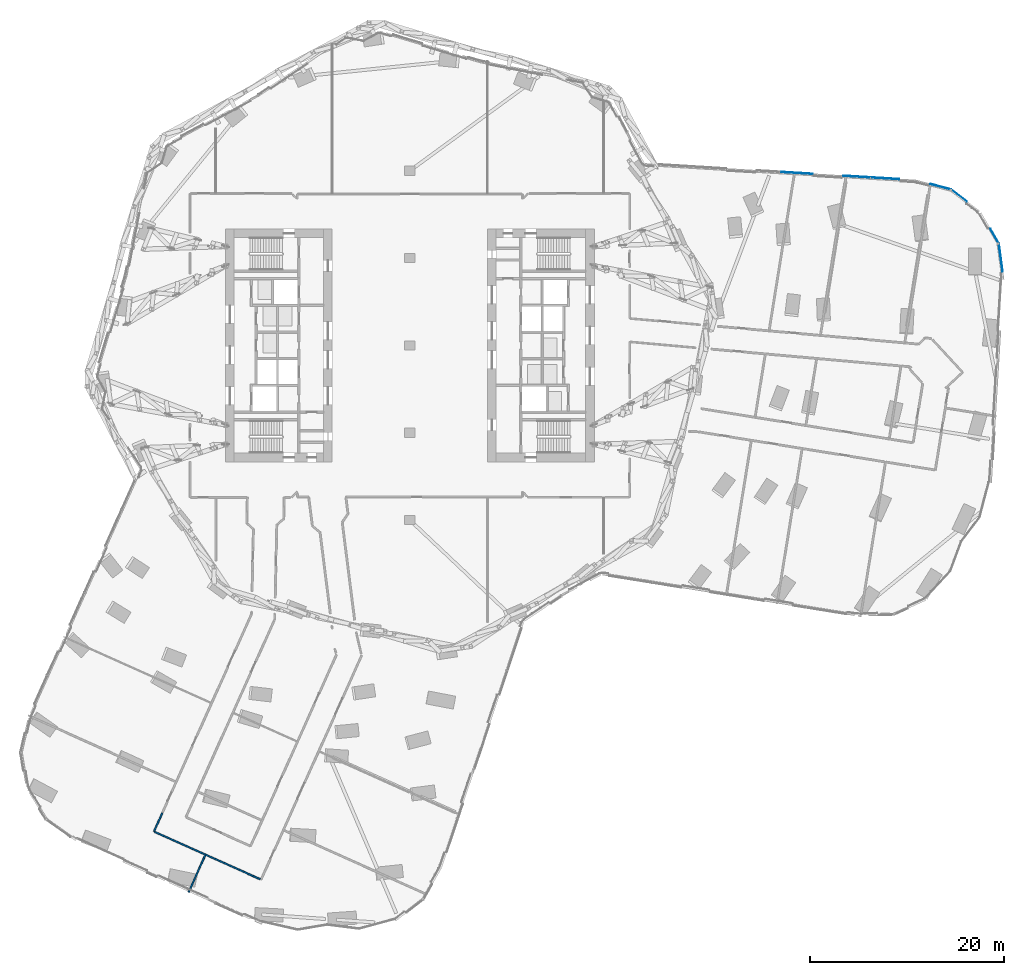
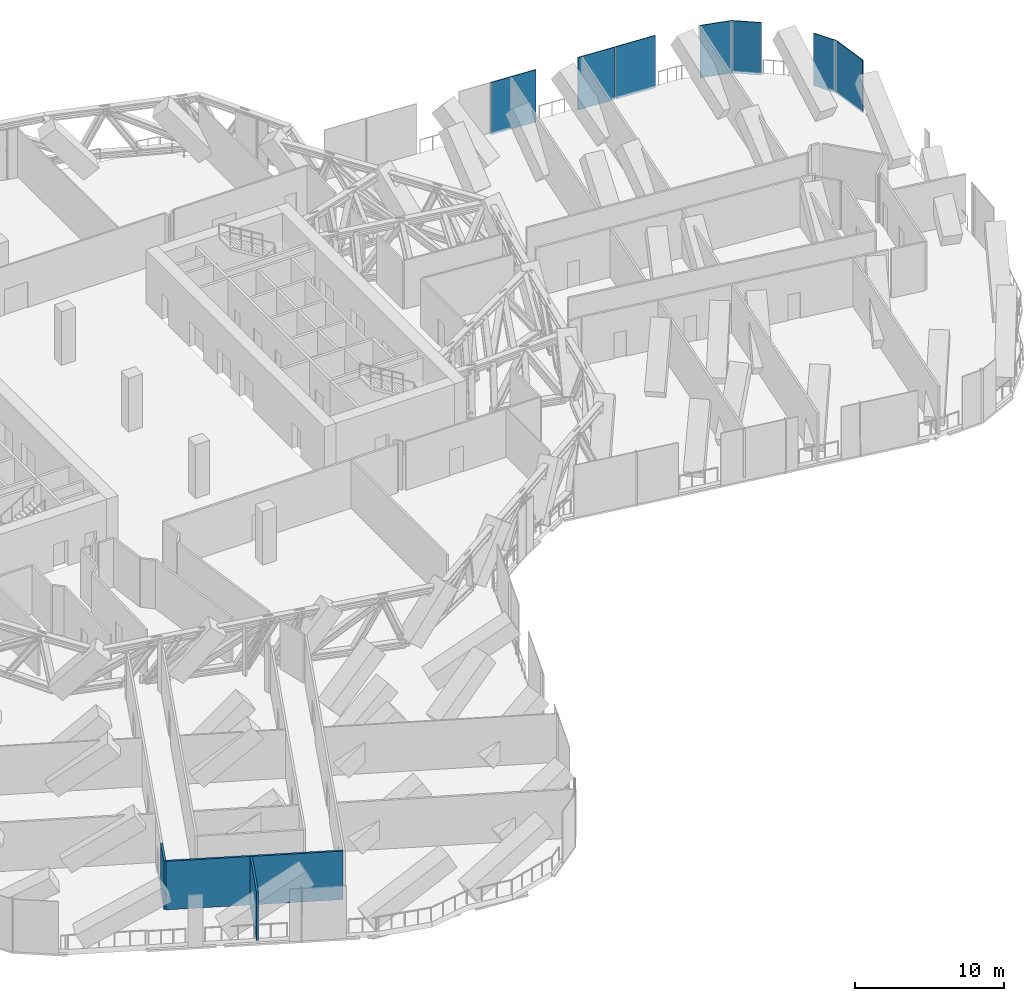
# One storey, part 26 of 39: 7 plates, 3 walls, 5 elements without a shape of their own.
"""IFC4 building model written with IfcOpenShell, lengths in metres."""

from ifc_helpers import new_model, si_unit, direction, frame, frame_2d, origin, origin_2d, place, context, subcontext, project, spatial, rectangle, extrude, material, layer, layer_set, type_object, element, aggregate, save


model = new_model("IFC4")

# Units and contexts
model_context = context("Model", 3, precision=1e-05, world=origin(), true_north=direction((0.0, 1.0)))
body_context = subcontext(model_context, "Body", "Model", "MODEL_VIEW")
ifc_project = project(units=[si_unit("LENGTHUNIT", "METRE"), si_unit("AREAUNIT", "SQUARE_METRE"), si_unit("VOLUMEUNIT", "CUBIC_METRE"), si_unit("PLANEANGLEUNIT", "RADIAN"), si_unit("MASSUNIT", "GRAM", prefix="KILO")], contexts=[model_context])

# Site, building, storey
site_placement = place(None, origin())
site = spatial("IfcSite", under=ifc_project, at=site_placement, CompositionType="ELEMENT")
building_placement = place(site_placement, origin())
building = spatial("IfcBuilding", under=site, at=building_placement, Name="Orlundy Tower", CompositionType="ELEMENT")
storey_placement = place(building_placement, frame((0.0, 0.0, 141.199951171875)))
storey = spatial("IfcBuildingStorey", under=building, at=storey_placement, Name="L36", CompositionType="ELEMENT", Elevation=141.199951171875)

# Curtain wall, plates
ifc_material_1 = material(Name="Aluminium bronze anodised", Category="aluminium")
curtain_wall_type = type_object("IfcCurtainWallType", Name="CW4 wall", PredefinedType="NOTDEFINED", material=ifc_material_1)
curtain_wall_1_placement = place(storey_placement, origin())
curtain_wall_1 = element("IfcCurtainWall", 1, at=curtain_wall_1_placement, inside=storey, type_object=curtain_wall_type, Name="CW4 run 029", PredefinedType="NOTDEFINED")
ifc_material_2 = material(Name="Louvre aluminium bronze anodised", Category="aluminium")
ifc_layer_1 = layer(ifc_material_2, 0.06005859375)
ifc_layer_set_1 = layer_set([ifc_layer_1], Name="CW4 louvre panel 60")
plate_type = type_object("IfcPlateType", Name="CW4 louvre panel 60", PredefinedType="CURTAIN_PANEL", material=ifc_layer_set_1)
plate_1_placement = place(storey_placement, frame((39.829833984375, 17.771484375, -0.2998046875), z_axis=(0.0, 0.0, 1.0), x_axis=(0.998134353904, -0.061055806908, 0.0)))
plate_1 = element("IfcPlate", 2, at=plate_1_placement, type_object=plate_type, Name="CW4 louvre", PredefinedType="CURTAIN_PANEL", context=body_context, shape_type="SweptSolid", body=[
    extrude(rectangle(XDim=3.386474609375, YDim=0.06005859375, at=origin_2d()), origin(), (0.0, 0.0, 1.0), 4.300048828125),
])
plate_2_placement = place(storey_placement, frame((46.043212890625, 17.391357421875, -0.2998046875), z_axis=(0.0, 0.0, 1.0), x_axis=(0.998134353904, -0.061055806908, 0.0)))
plate_2 = element("IfcPlate", 3, at=plate_2_placement, type_object=plate_type, Name="CW4 louvre", PredefinedType="CURTAIN_PANEL", context=body_context, shape_type="SweptSolid", body=[
    extrude(rectangle(XDim=2.780517578125, YDim=0.06005859375, at=origin_2d()), origin(), (0.0, 0.0, 1.0), 4.300048828125),
])
plate_3_placement = place(storey_placement, frame((48.9697265625, 17.21240234375, -0.2998046875), z_axis=(0.0, 0.0, 1.0), x_axis=(0.998134353904, -0.061055806908, 0.0)))
plate_3 = element("IfcPlate", 4, at=plate_3_placement, type_object=plate_type, Name="CW4 louvre", PredefinedType="CURTAIN_PANEL", context=body_context, shape_type="SweptSolid", body=[
    extrude(rectangle(XDim=2.963134765625, YDim=0.06005859375, at=origin_2d()), origin(), (0.0, 0.0, 1.0), 4.300048828125),
])
aggregate(curtain_wall_1, [plate_1, plate_2, plate_3])

# Curtain wall, plate
curtain_wall_2_placement = place(storey_placement, origin())
curtain_wall_2 = element("IfcCurtainWall", 5, at=curtain_wall_2_placement, inside=storey, type_object=curtain_wall_type, Name="CW4 run 030", PredefinedType="NOTDEFINED")
plate_4_placement = place(storey_placement, frame((54.716552734375, 16.342529296875, -0.2998046875), z_axis=(0.0, 0.0, 1.0), x_axis=(0.967018593616, -0.254705790277, 0.0)))
plate_4 = element("IfcPlate", 6, at=plate_4_placement, type_object=plate_type, Name="CW4 louvre", PredefinedType="CURTAIN_PANEL", context=body_context, shape_type="SweptSolid", body=[
    extrude(rectangle(XDim=2.2119140625, YDim=0.06005859375, at=origin_2d()), origin(), (0.0, 0.0, 1.0), 4.300048828125),
])
aggregate(curtain_wall_2, [plate_4])

curtain_wall_3_placement = place(storey_placement, origin())
curtain_wall_3 = element("IfcCurtainWall", 7, at=curtain_wall_3_placement, inside=storey, type_object=curtain_wall_type, Name="CW4 run 031", PredefinedType="NOTDEFINED")
plate_5_placement = place(storey_placement, frame((56.5830078125, 15.455078125, -0.2998046875), z_axis=(0.0, 0.0, 1.0), x_axis=(0.796131001065, -0.605124308835, 0.0)))
plate_5 = element("IfcPlate", 8, at=plate_5_placement, type_object=plate_type, Name="CW4 louvre", PredefinedType="CURTAIN_PANEL", context=body_context, shape_type="SweptSolid", body=[
    extrude(rectangle(XDim=2.001953125, YDim=0.06005859375, at=origin_2d()), origin(), (0.0, 0.0, 1.0), 4.300048828125),
])
aggregate(curtain_wall_3, [plate_5])

curtain_wall_4_placement = place(storey_placement, origin())
curtain_wall_4 = element("IfcCurtainWall", 9, at=curtain_wall_4_placement, inside=storey, type_object=curtain_wall_type, Name="CW4 run 032", PredefinedType="NOTDEFINED")
plate_6_placement = place(storey_placement, frame((60.2509765625, 11.2724609375, -0.2998046875), z_axis=(0.0, 0.0, 1.0), x_axis=(0.503703269164, -0.863876736944, 0.0)))
plate_6 = element("IfcPlate", 10, at=plate_6_placement, type_object=plate_type, Name="CW4 louvre", PredefinedType="CURTAIN_PANEL", context=body_context, shape_type="SweptSolid", body=[
    extrude(rectangle(XDim=1.75048828125, YDim=0.06005859375, at=origin_2d()), origin(), (0.0, 0.0, 1.0), 4.300048828125),
])
aggregate(curtain_wall_4, [plate_6])

curtain_wall_5_placement = place(storey_placement, origin())
curtain_wall_5 = element("IfcCurtainWall", 11, at=curtain_wall_5_placement, inside=storey, type_object=curtain_wall_type, Name="CW4 run 033", PredefinedType="NOTDEFINED")
plate_7_placement = place(storey_placement, frame((60.889404296875, 9.0654296875, -0.2998046875), z_axis=(0.0, 0.0, 1.0), x_axis=(0.134884472094, -0.990861331967, 0.0)))
plate_7 = element("IfcPlate", 12, at=plate_7_placement, type_object=plate_type, Name="CW4 louvre", PredefinedType="CURTAIN_PANEL", context=body_context, shape_type="SweptSolid", body=[
    extrude(rectangle(XDim=2.9287109375, YDim=0.06005859375, at=origin_2d()), origin(), (0.0, 0.0, 1.0), 4.300048828125),
])
aggregate(curtain_wall_5, [plate_7])

# Walls
ifc_material_3 = material(Name="Blockwork shaft wall", Category="masonry")
ifc_layer_2 = layer(ifc_material_3, 0.14990234375)
ifc_layer_set_2 = layer_set([ifc_layer_2], Name="Floor shaft wall 150")
wall_type = type_object("IfcWallType", Name="Floor shaft wall 150", PredefinedType="PARTITIONING", material=ifc_layer_set_2)
wall_1_placement = place(storey_placement, frame((-26.302001953125, -50.1259765625, 0.0), z_axis=(0.0, 0.0, 1.0), x_axis=(0.912247840601, -0.4096387156, 0.0)))
element("IfcWall", 13, at=wall_1_placement, inside=storey, type_object=wall_type, Name="wall-int-L36-013", PredefinedType="PARTITIONING", context=body_context, shape_type="SweptSolid", body=[
    extrude(rectangle(XDim=11.929931640625, YDim=0.14990234375, at=frame_2d((5.96484375, 0.0))), origin(), (0.0, 0.0, 1.0), 3.97998046875),
])
wall_2_placement = place(storey_placement, frame((-22.802001953125, -56.35400390625, 0.0), z_axis=(0.0, 0.0, 1.0), x_axis=(0.409348042989, 0.91237830953, 0.0)))
element("IfcWall", 14, at=wall_2_placement, inside=storey, type_object=wall_type, Name="wall-int-L36-052", PredefinedType="PARTITIONING", context=body_context, shape_type="SweptSolid", body=[
    extrude(rectangle(XDim=4.1748046875, YDim=0.14990234375, at=frame_2d((2.08740234375, 0.0))), origin(), (0.0, 0.0, 1.0), 3.97998046875),
])
wall_3_placement = place(storey_placement, frame((-26.3701171875, -50.094970703125, 0.0), z_axis=(0.0, 0.0, 1.0), x_axis=(0.409146038344, 0.912468914159, 0.0)))
element("IfcWall", 15, at=wall_3_placement, inside=storey, type_object=wall_type, Name="wall-int-L36-055", PredefinedType="PARTITIONING", context=body_context, shape_type="SweptSolid", body=[
    extrude(rectangle(XDim=2.099853515625, YDim=0.14990234375, at=frame_2d((1.0498046875, 0.0))), origin(), (0.0, 0.0, 1.0), 3.97998046875),
])

save(model, "model.ifc")
